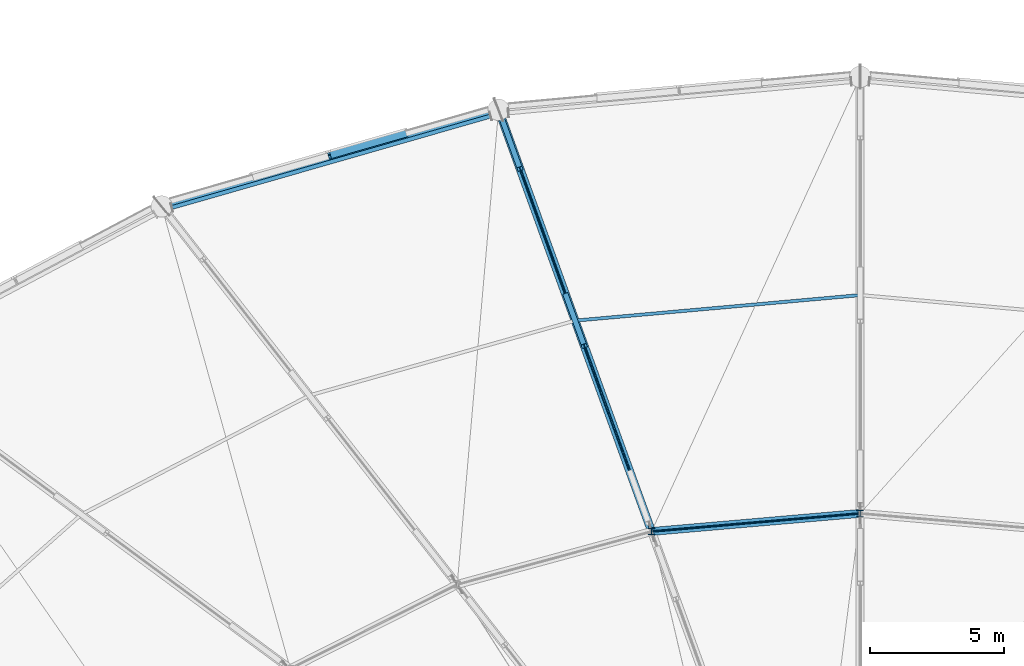
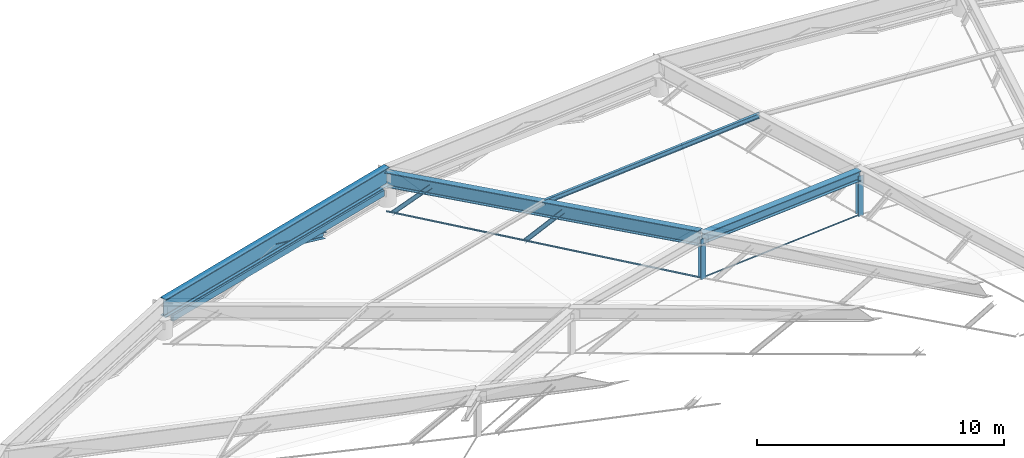
# One storey, part 20 of 83: 7 members, 5 beams.
"""IFC4 building model written with IfcOpenShell, lengths in metres."""

from ifc_helpers import new_model, si_unit, direction, frame, origin, origin_2d, place, context, subcontext, project, spatial, hollow_rectangle, circle, i_section, extrude, material, material_profile, profile_set, type_object, element, save


model = new_model("IFC4")

# Units and contexts
model_context = context("Model", 3, precision=1e-05, world=origin(), true_north=direction((0.0, 1.0)))
body_context = subcontext(model_context, "Body", "Model", "MODEL_VIEW")
ifc_project = project(units=[si_unit("LENGTHUNIT", "METRE"), si_unit("AREAUNIT", "SQUARE_METRE"), si_unit("VOLUMEUNIT", "CUBIC_METRE"), si_unit("PLANEANGLEUNIT", "RADIAN"), si_unit("MASSUNIT", "GRAM", prefix="KILO")], contexts=[model_context])

# Site, building, storey
site_placement = place(None, origin())
site = spatial("IfcSite", under=ifc_project, at=site_placement, CompositionType="ELEMENT")
building_placement = place(site_placement, origin())
building = spatial("IfcBuilding", under=site, at=building_placement, Name="Kivolera Central Railway Station", CompositionType="ELEMENT")
storey_placement = place(building_placement, frame((0.0, 0.0, 14.39990234375)))
storey = spatial("IfcBuildingStorey", under=building, at=storey_placement, Name="L03", CompositionType="ELEMENT", Elevation=14.39990234375)

# Beams
ifc_material_1 = material(Name="Steel S355", Category="steel")
ifc_material_profile_1 = material_profile(ifc_material_1, hollow_rectangle(XDim=0.14990234375, YDim=0.300048828125, WallThickness=0.012451171875, at=origin_2d()), Name="RHS 300x150x12.5")
ifc_profile_set_1 = profile_set([ifc_material_profile_1], Name="Steel S355")
beam_type_1 = type_object("IfcBeamType", Name="BM-ARCH-HOOD", PredefinedType="SPANDREL", material=ifc_profile_set_1)
beam_1_placement = place(storey_placement, frame((50.239990234375, 124.535888671875, 0.735107421875), z_axis=(-0.961253150651, -0.275667155033, 0.0), x_axis=(0.275667155033, -0.961253150651, 0.0)))
element("IfcBeam", 1, at=beam_1_placement, inside=storey, type_object=beam_type_1, Name="Lantern Spandrel Hood Beam 08", PredefinedType="SPANDREL", context=body_context, shape_type="SweptSolid", body=[
    extrude(hollow_rectangle(XDim=0.14990234375, YDim=0.300048828125, WallThickness=0.012451171875, at=origin_2d()), origin(), (0.0, 0.0, 1.0), 12.3369140625),
])
ifc_material_profile_2 = material_profile(ifc_material_1, i_section(OverallWidth=0.300048828125, OverallDepth=0.699951171875, WebThickness=0.01708984375, FlangeThickness=0.031982421875, FilletRadius=0.027099609375, at=origin_2d()), Name="HEB 700")
ifc_profile_set_2 = profile_set([ifc_material_profile_2], Name="Steel S355")
beam_type_2 = type_object("IfcBeamType", Name="BM-DRB-HEB700", PredefinedType="BEAM", material=ifc_profile_set_2)
beam_2_placement = place(storey_placement, frame((50.541015625, 124.77294921875, 1.18017578125), z_axis=(0.328777498815, -0.906291393744, 0.265596057761), x_axis=(0.940053995171, 0.341025638571, 0.0)))
element("IfcBeam", 2, at=beam_2_placement, inside=storey, type_object=beam_type_2, Name="Oval Dome Radial Arch Rib Outer Segment DRB1-08", PredefinedType="BEAM", context=body_context, shape_type="SweptSolid", body=[
    extrude(i_section(OverallWidth=0.300048828125, OverallDepth=0.699951171875, WebThickness=0.01708984375, FlangeThickness=0.031982421875, FilletRadius=0.027099609375, at=origin_2d()), origin(), (0.0, 0.0, 1.0), 17.319091796875),
])
ifc_material_profile_3 = material_profile(ifc_material_1, i_section(OverallWidth=0.300048828125, OverallDepth=0.5, WebThickness=0.014404296875, FlangeThickness=0.028076171875, FilletRadius=0.027099609375, at=origin_2d()), Name="HEB 500")
ifc_profile_set_3 = profile_set([ifc_material_profile_3], Name="Steel S355")
beam_type_3 = type_object("IfcBeamType", Name="BM-HRG-HEB500", PredefinedType="BEAM", material=ifc_profile_set_3)
beam_3_placement = place(storey_placement, frame((64.0, 109.75, 5.780029296875), z_axis=(-0.996263942133, -0.086360625325, 0.0), x_axis=(0.086360625325, -0.996263942133, 0.0)))
element("IfcBeam", 3, at=beam_3_placement, inside=storey, type_object=beam_type_3, Name="Oval Dome Outer Hoop Ring Beam HRG1-07", PredefinedType="BEAM", context=body_context, shape_type="SweptSolid", body=[
    extrude(i_section(OverallWidth=0.300048828125, OverallDepth=0.5, WebThickness=0.014404296875, FlangeThickness=0.028076171875, FilletRadius=0.027099609375, at=origin_2d()), origin(), (0.0, 0.0, 1.0), 7.7939453125),
])
ifc_material_profile_4 = material_profile(ifc_material_1, i_section(OverallWidth=0.300048828125, OverallDepth=0.300048828125, WebThickness=0.010986328125, FlangeThickness=0.01904296875, FilletRadius=0.027099609375, at=origin_2d()), Name="HEB 300")
ifc_profile_set_4 = profile_set([ifc_material_profile_4], Name="Steel S355")
beam_type_4 = type_object("IfcBeamType", Name="BM-LANT-ARCH", PredefinedType="SPANDREL", material=ifc_profile_set_4)
beam_4_placement = place(storey_placement, frame((47.0830078125, 123.906005859375, 0.16015625), z_axis=(-0.919725683626, -0.263680469647, 0.290821726846), x_axis=(0.275592325369, -0.96127460707, 0.0)))
element("IfcBeam", 4, at=beam_4_placement, inside=storey, type_object=beam_type_4, Name="Oval Lantern Structural Arch Rib 08.3", PredefinedType="SPANDREL", context=body_context, shape_type="SweptSolid", body=[
    extrude(i_section(OverallWidth=0.300048828125, OverallDepth=0.300048828125, WebThickness=0.010986328125, FlangeThickness=0.01904296875, FilletRadius=0.027099609375, at=origin_2d()), origin(), (0.0, 0.0, 1.0), 3.09423828125),
])
ifc_material_profile_5 = material_profile(ifc_material_1, i_section(OverallWidth=0.300048828125, OverallDepth=0.89990234375, WebThickness=0.0185546875, FlangeThickness=0.034912109375, FilletRadius=0.030029296875, at=origin_2d()), Name="HEB 900")
ifc_profile_set_5 = profile_set([ifc_material_profile_5], Name="Steel S355")
beam_type_5 = type_object("IfcBeamType", Name="BM-ORB-HEB900", PredefinedType="BEAM", material=ifc_profile_set_5)
beam_5_placement = place(storey_placement, frame((50.541015625, 124.77294921875, 1.35009765625), z_axis=(-0.961264358362, -0.275628070673, 0.0), x_axis=(0.275628070673, -0.961264358362, 0.0)))
element("IfcBeam", 5, at=beam_5_placement, inside=storey, type_object=beam_type_5, Name="Oval Dome Compression Ring Beam ORB-08", PredefinedType="BEAM", context=body_context, shape_type="SweptSolid", body=[
    extrude(i_section(OverallWidth=0.300048828125, OverallDepth=0.89990234375, WebThickness=0.0185546875, FlangeThickness=0.034912109375, FilletRadius=0.030029296875, at=origin_2d()), origin(), (0.0, 0.0, 1.0), 13.04638671875),
])

# Members
ifc_material_2 = material(Name="Spiral strand steel S460", Category="steel")
ifc_material_profile_6 = material_profile(ifc_material_2, circle(Radius=0.02392578125, at=origin_2d()), Name="CABLE D48")
ifc_profile_set_6 = profile_set([ifc_material_profile_6], Name="Spiral strand steel S460")
member_type_1 = type_object("IfcMemberType", Name="MEM-CABLE-D48", PredefinedType="USERDEFINED", material=ifc_profile_set_6)
member_1_placement = place(storey_placement, frame((64.0, 109.75, 3.780029296875), z_axis=(-0.996263942133, -0.086360625325, 0.0), x_axis=(0.086360625325, -0.996263942133, 0.0)))
element("IfcMember", 6, at=member_1_placement, inside=storey, type_object=member_type_1, Name="Dome Hoop Tension Cable HC1-07", ObjectType="TENSION_CABLE", PredefinedType="USERDEFINED", context=body_context, shape_type="SweptSolid", body=[
    extrude(circle(Radius=0.02392578125, at=origin_2d()), origin(), (0.0, 0.0, 1.0), 7.7939453125),
])
ifc_material_profile_7 = material_profile(ifc_material_2, circle(Radius=0.031982421875, at=origin_2d()), Name="CABLE D64")
ifc_profile_set_7 = profile_set([ifc_material_profile_7], Name="Spiral strand steel S460")
member_type_2 = type_object("IfcMemberType", Name="MEM-CABLE-D64", PredefinedType="USERDEFINED", material=ifc_profile_set_7)
member_2_placement = place(storey_placement, frame((50.541015625, 124.77294921875, -0.449951171875), z_axis=(0.330582165215, -0.9112660457, 0.245580182417), x_axis=(0.940053995171, 0.341025638571, 0.0)))
element("IfcMember", 7, at=member_2_placement, inside=storey, type_object=member_type_2, Name="Dome Radial Spiral-Strand Tension Cable RC1-08", ObjectType="TENSION_CABLE", PredefinedType="USERDEFINED", context=body_context, shape_type="SweptSolid", body=[
    extrude(circle(Radius=0.031982421875, at=origin_2d()), origin(), (0.0, 0.0, 1.0), 17.224365234375),
])
ifc_material_profile_8 = material_profile(ifc_material_1, i_section(OverallWidth=0.1201171875, OverallDepth=0.239990234375, WebThickness=0.006103515625, FlangeThickness=0.009765625, FilletRadius=0.014892578125, at=origin_2d()), Name="IPE 240")
ifc_profile_set_8 = profile_set([ifc_material_profile_8], Name="Steel S355")
member_type_3 = type_object("IfcMemberType", Name="MEM-PUR-IPE240", PredefinedType="PURLIN", material=ifc_profile_set_8)
member_3_placement = place(storey_placement, frame((64.0, 117.875, 3.775146484375), z_axis=(-0.996017345617, -0.089159672667, 0.0), x_axis=(0.089159672667, -0.996017345617, 0.0)))
element("IfcMember", 8, at=member_3_placement, inside=storey, type_object=member_type_3, Name="Dome Outer Hoop Purlin DPUR1-07", PredefinedType="PURLIN", context=body_context, shape_type="SweptSolid", body=[
    extrude(i_section(OverallWidth=0.1201171875, OverallDepth=0.239990234375, WebThickness=0.006103515625, FlangeThickness=0.009765625, FilletRadius=0.014892578125, at=origin_2d()), origin(), (0.0, 0.0, 1.0), 10.654541015625),
])
ifc_material_profile_9 = material_profile(ifc_material_1, i_section(OverallWidth=0.239990234375, OverallDepth=0.22998046875, WebThickness=0.007568359375, FlangeThickness=0.011962890625, FilletRadius=0.02099609375, at=origin_2d()), Name="HEA 240")
ifc_profile_set_9 = profile_set([ifc_material_profile_9], Name="Steel S355")
member_type_4 = type_object("IfcMemberType", Name="MEM-RAF-HEA240", PredefinedType="STRUT", material=ifc_profile_set_9)
for number, where, z_axis, x_axis, name in (
    (9, (64.0, 109.75, 3.780029296875), (0.0, 0.0, 1.0), (1.0, 0.0, 0.0), "Dome Ring Spreader Post DP1-07"),
    (10, (56.235107421875, 109.076904296875, 3.780029296875), (0.0, 0.0, 1.0), (1.0, 0.0, 0.0), "Dome Ring Spreader Post DP1-08"),
):
    element("IfcMember", number, at=place(storey_placement, frame(where, z_axis=z_axis, x_axis=x_axis)), inside=storey, type_object=member_type_4, Name=name, PredefinedType="STRUT", context=body_context, shape_type="SweptSolid", body=[
        extrude(i_section(OverallWidth=0.239990234375, OverallDepth=0.22998046875, WebThickness=0.007568359375, FlangeThickness=0.011962890625, FilletRadius=0.02099609375, at=origin_2d()), origin(), (0.0, 0.0, 1.0), 2.0),
    ])
ifc_material_profile_10 = material_profile(ifc_material_1, i_section(OverallWidth=0.199951171875, OverallDepth=0.199951171875, WebThickness=0.009033203125, FlangeThickness=0.014892578125, FilletRadius=0.01806640625, at=origin_2d()), Name="HEB 200")
ifc_profile_set_10 = profile_set([ifc_material_profile_10], Name="Steel S355")
member_type_5 = type_object("IfcMemberType", Name="MEM-RAF-HEB200", PredefinedType="RAFTER", material=ifc_profile_set_10)
member_4_placement = place(storey_placement, frame((50.655029296875, 124.458984375, -0.364990234375), z_axis=(0.230129257585, -0.63460384832, 0.737779425371), x_axis=(0.940095542552, 0.340911089397, 0.0)))
element("IfcMember", 11, at=member_4_placement, inside=storey, type_object=member_type_5, Name="Dome Radial Truss Raking Web DWEB1-08.1", PredefinedType="RAFTER", context=body_context, shape_type="SweptSolid", body=[
    extrude(i_section(OverallWidth=0.199951171875, OverallDepth=0.199951171875, WebThickness=0.009033203125, FlangeThickness=0.014892578125, FilletRadius=0.01806640625, at=origin_2d()), origin(), (0.0, 0.0, 1.0), 2.96728515625),
])
member_5_placement = place(storey_placement, frame((53.0458984375, 117.866943359375, 1.4111328125), z_axis=(0.221753761886, -0.610732969476, 0.760151635586), x_axis=(0.939956905793, 0.341293151488, 0.0)))
element("IfcMember", 12, at=member_5_placement, inside=storey, type_object=member_type_5, Name="Dome Radial Truss Raking Web DWEB1-08.2", PredefinedType="RAFTER", context=body_context, shape_type="SweptSolid", body=[
    extrude(i_section(OverallWidth=0.199951171875, OverallDepth=0.199951171875, WebThickness=0.009033203125, FlangeThickness=0.014892578125, FilletRadius=0.01806640625, at=origin_2d()), origin(), (0.0, 0.0, 1.0), 3.0849609375),
])

save(model, "model.ifc")
